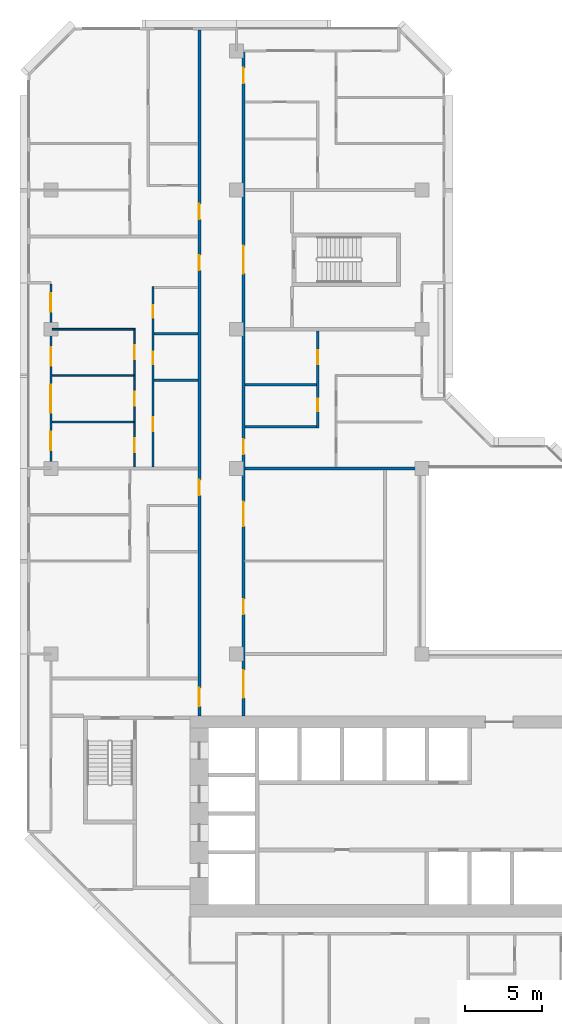
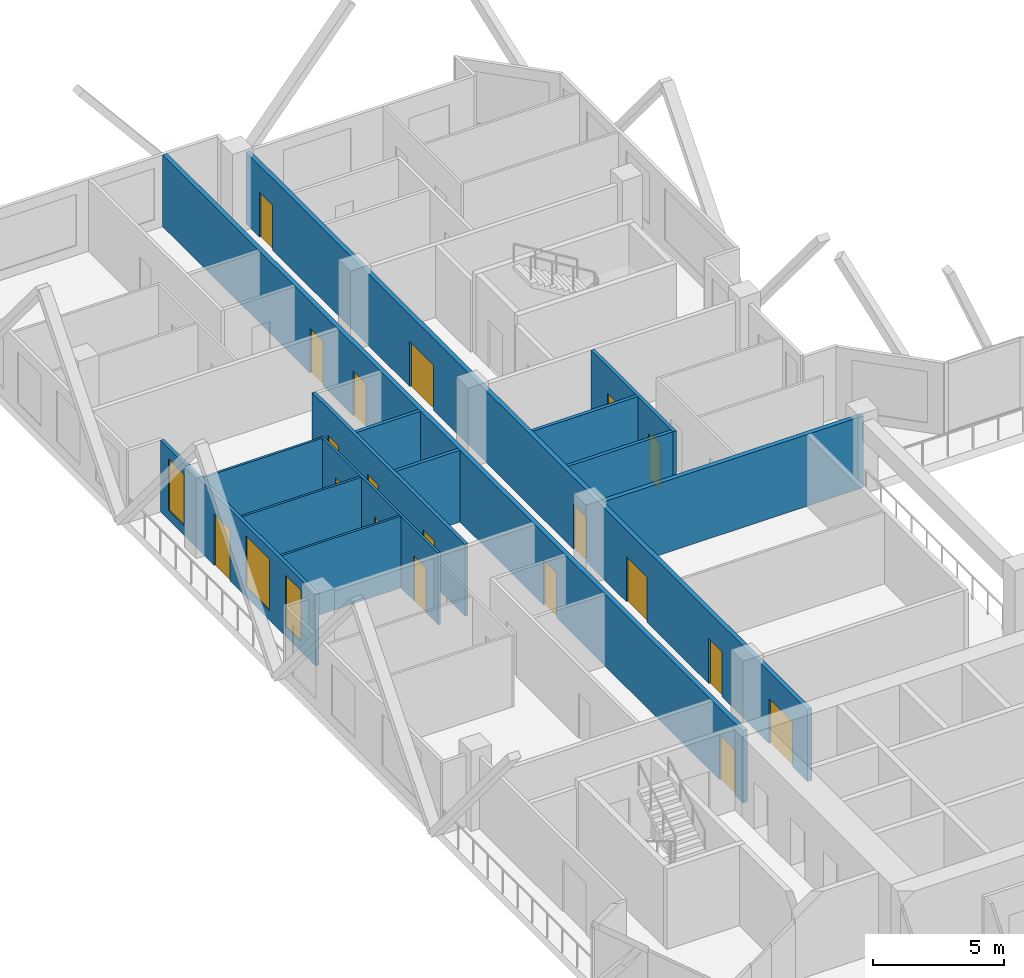
# One storey, part 9 of 14: 19 doors, 14 walls, 3 windows, 22 openings.
"""IFC4 building model written with IfcOpenShell, lengths in metres."""

from ifc_helpers import new_model, si_unit, direction, frame, frame_2d, origin, place, context, subcontext, project, spatial, rectangle, extrude, material, layer, layer_set, type_object, element, fill, save


model = new_model("IFC4")

# Units and contexts
model_context = context("Model", 3, precision=1e-05, world=origin(), true_north=direction((0.0, 1.0)))
body_context = subcontext(model_context, "Body", "Model", "MODEL_VIEW")
ifc_project = project(units=[si_unit("LENGTHUNIT", "METRE"), si_unit("AREAUNIT", "SQUARE_METRE"), si_unit("VOLUMEUNIT", "CUBIC_METRE"), si_unit("PLANEANGLEUNIT", "RADIAN"), si_unit("MASSUNIT", "GRAM", prefix="KILO")], contexts=[model_context])

# Site, building, storey
site_placement = place(None, origin())
site = spatial("IfcSite", under=ifc_project, at=site_placement, CompositionType="ELEMENT")
building_placement = place(site_placement, origin())
building = spatial("IfcBuilding", under=site, at=building_placement, Name="Chenar Terraces", CompositionType="ELEMENT")
storey_placement = place(building_placement, frame((0.0, 0.0, 164.89990234375)))
storey = spatial("IfcBuildingStorey", under=building, at=storey_placement, Name="L37", CompositionType="ELEMENT", Elevation=164.89990234375)

# Wall, openings, doors
ifc_material_1 = material(Name="Gypsum board on steel studs with fire boards", Category="steel")
ifc_layer_1 = layer(ifc_material_1, 0.199951171875)
ifc_layer_set_1 = layer_set([ifc_layer_1], Name="Gypsum board on steel studs with fire boards")
wall_type_1 = type_object("IfcWallType", Name="Corridor wall 200", PredefinedType="PARTITIONING", material=ifc_layer_set_1)
wall_1_placement = place(storey_placement, frame((9.60009765625, 20.0, 0.0), z_axis=(0.0, 0.0, 1.0), x_axis=(0.0, 1.0, 0.0)))
wall_1 = element("IfcWall", 1, at=wall_1_placement, inside=storey, type_object=wall_type_1, Name="Partition L37-028", PredefinedType="PARTITIONING", context=body_context, shape_type="SweptSolid", body=[
    extrude(rectangle(XDim=44.35009765625, YDim=0.199951171875, at=frame_2d((22.175048828125, 0.0))), origin(), (0.0, 0.0, 1.0), 3.35009765625),
])
opening_1_placement = place(wall_1_placement, frame((28.800048828125, 0.0, 0.0)))
opening_1 = element("IfcOpeningElement", 2, at=opening_1_placement, cuts=wall_1, Name="Opening DL37-32", PredefinedType="OPENING", context=body_context, shape_type="SweptSolid", body=[
    extrude(rectangle(XDim=1.0, YDim=2.10009765625, at=frame_2d((0.5, 1.050048828125))), frame((0.0, 0.10986328125, 0.0), z_axis=(0.0, -1.0, 0.0), x_axis=(1.0, 0.0, 0.0)), (0.0, 0.0, 1.0), 0.219970703125),
])
opening_2_placement = place(wall_1_placement, frame((32.10009765625, 0.0, 0.0)))
opening_2 = element("IfcOpeningElement", 3, at=opening_2_placement, cuts=wall_1, Name="Opening DL37-38", PredefinedType="OPENING", context=body_context, shape_type="SweptSolid", body=[
    extrude(rectangle(XDim=1.0, YDim=2.10009765625, at=frame_2d((0.5, 1.050048828125))), frame((0.0, 0.10986328125, 0.0), z_axis=(0.0, -1.0, 0.0), x_axis=(1.0, 0.0, 0.0)), (0.0, 0.0, 1.0), 0.219970703125),
])
opening_3_placement = place(wall_1_placement, frame((0.60009765625, 0.0, 0.0)))
opening_3 = element("IfcOpeningElement", 4, at=opening_3_placement, cuts=wall_1, Name="Opening DL37-41", PredefinedType="OPENING", context=body_context, shape_type="SweptSolid", body=[
    extrude(rectangle(XDim=1.199951171875, YDim=2.10009765625, at=frame_2d((0.60009765625, 1.050048828125))), frame((0.0, 0.10986328125, 0.0), z_axis=(0.0, -1.0, 0.0), x_axis=(1.0, 0.0, 0.0)), (0.0, 0.0, 1.0), 0.219970703125),
])
opening_4_placement = place(wall_1_placement, frame((14.25, 0.0, 0.0)))
opening_4 = element("IfcOpeningElement", 5, at=opening_4_placement, cuts=wall_1, Name="Opening DL37-62", PredefinedType="OPENING", context=body_context, shape_type="SweptSolid", body=[
    extrude(rectangle(XDim=1.0, YDim=2.10009765625, at=frame_2d((0.5, 1.050048828125))), frame((0.0, 0.10986328125, 0.0), z_axis=(0.0, -1.0, 0.0), x_axis=(1.0, 0.0, 0.0)), (0.0, 0.0, 1.0), 0.219970703125),
])
ifc_material_2 = material(Name="Steel-framed fire-resisting door leaf", Category="steel")
door_type_1 = type_object("IfcDoorType", Name="Fire door FD30S 1000 x 2100", OperationType="SINGLE_SWING_LEFT", PredefinedType="DOOR", material=ifc_material_2)
door_1_placement = place(opening_1_placement, origin())
door_1 = element("IfcDoor", 6, at=door_1_placement, inside=storey, type_object=door_type_1, Name="Door DL37-32", OperationType="SINGLE_SWING_LEFT", OverallHeight=2.10009765625, OverallWidth=1.0, PredefinedType="DOOR", context=body_context, shape_type="SweptSolid", body=[
    extrude(rectangle(XDim=1.0, YDim=2.10009765625, at=frame_2d((0.5, 1.050048828125))), frame((0.0, 0.02490234375, 0.0), z_axis=(0.0, -1.0, 0.0), x_axis=(1.0, 0.0, 0.0)), (0.0, 0.0, 1.0), 0.050048828125),
])
fill(opening_1, door_1)
door_2_placement = place(opening_2_placement, origin())
door_2 = element("IfcDoor", 7, at=door_2_placement, inside=storey, type_object=door_type_1, Name="Door DL37-38", OperationType="SINGLE_SWING_LEFT", OverallHeight=2.10009765625, OverallWidth=1.0, PredefinedType="DOOR", context=body_context, shape_type="SweptSolid", body=[
    extrude(rectangle(XDim=1.0, YDim=2.10009765625, at=frame_2d((0.5, 1.050048828125))), frame((0.0, 0.02490234375, 0.0), z_axis=(0.0, -1.0, 0.0), x_axis=(1.0, 0.0, 0.0)), (0.0, 0.0, 1.0), 0.050048828125),
])
fill(opening_2, door_2)
door_3_placement = place(opening_4_placement, origin())
door_3 = element("IfcDoor", 8, at=door_3_placement, inside=storey, type_object=door_type_1, Name="Door DL37-62", OperationType="SINGLE_SWING_LEFT", OverallHeight=2.10009765625, OverallWidth=1.0, PredefinedType="DOOR", context=body_context, shape_type="SweptSolid", body=[
    extrude(rectangle(XDim=1.0, YDim=2.10009765625, at=frame_2d((0.5, 1.050048828125))), frame((0.0, 0.02490234375, 0.0), z_axis=(0.0, -1.0, 0.0), x_axis=(1.0, 0.0, 0.0)), (0.0, 0.0, 1.0), 0.050048828125),
])
fill(opening_4, door_3)
ifc_material_3 = material(Name="Steel-framed fire-resisting door leaf", Category="steel")
door_type_2 = type_object("IfcDoorType", Name="Fire door FD30S 1200 x 2100", OperationType="SINGLE_SWING_LEFT", PredefinedType="DOOR", material=ifc_material_3)
door_4_placement = place(opening_3_placement, origin())
door_4 = element("IfcDoor", 9, at=door_4_placement, inside=storey, type_object=door_type_2, Name="Door DL37-41", OperationType="SINGLE_SWING_RIGHT", OverallHeight=2.10009765625, OverallWidth=1.199951171875, PredefinedType="DOOR", context=body_context, shape_type="SweptSolid", body=[
    extrude(rectangle(XDim=1.199951171875, YDim=2.10009765625, at=frame_2d((0.60009765625, 1.050048828125))), frame((0.0, 0.02490234375, 0.0), z_axis=(0.0, -1.0, 0.0), x_axis=(1.0, 0.0, 0.0)), (0.0, 0.0, 1.0), 0.050048828125),
])
fill(opening_3, door_4)

wall_2_placement = place(storey_placement, frame((12.449951171875, 20.0, 0.0), z_axis=(0.0, 0.0, 1.0), x_axis=(0.0, 1.0, 0.0)))
wall_2 = element("IfcWall", 10, at=wall_2_placement, inside=storey, type_object=wall_type_1, Name="Partition L37-031", PredefinedType="PARTITIONING", context=body_context, shape_type="SweptSolid", body=[
    extrude(rectangle(XDim=42.926025390625, YDim=0.199951171875, at=frame_2d((21.462890625, 0.0))), origin(), (0.0, 0.0, 1.0), 3.35009765625),
])
opening_5_placement = place(wall_2_placement, frame((6.550048828125, 0.0, 0.0)))
opening_5 = element("IfcOpeningElement", 11, at=opening_5_placement, cuts=wall_2, Name="Opening DL37-1", PredefinedType="OPENING", context=body_context, shape_type="SweptSolid", body=[
    extrude(rectangle(XDim=1.0, YDim=2.10009765625, at=frame_2d((0.5, 1.050048828125))), frame((0.0, 0.10986328125, 0.0), z_axis=(0.0, -1.0, 0.0), x_axis=(1.0, 0.0, 0.0)), (0.0, 0.0, 1.0), 0.219970703125),
])
opening_6_placement = place(wall_2_placement, frame((12.25, 0.0, 0.0)))
opening_6 = element("IfcOpeningElement", 12, at=opening_6_placement, cuts=wall_2, Name="Opening DL37-2", PredefinedType="OPENING", context=body_context, shape_type="SweptSolid", body=[
    extrude(rectangle(XDim=1.60009765625, YDim=2.10009765625, at=frame_2d((0.800048828125, 1.050048828125))), frame((0.0, 0.10986328125, 0.0), z_axis=(0.0, -1.0, 0.0), x_axis=(1.0, 0.0, 0.0)), (0.0, 0.0, 1.0), 0.219970703125),
])
opening_7_placement = place(wall_2_placement, frame((16.89990234375, 0.0, 0.0)))
opening_7 = element("IfcOpeningElement", 13, at=opening_7_placement, cuts=wall_2, Name="Opening DL37-21", PredefinedType="OPENING", context=body_context, shape_type="SweptSolid", body=[
    extrude(rectangle(XDim=1.0, YDim=2.10009765625, at=frame_2d((0.5, 1.050048828125))), frame((0.0, 0.10986328125, 0.0), z_axis=(0.0, -1.0, 0.0), x_axis=(1.0, 0.0, 0.0)), (0.0, 0.0, 1.0), 0.219970703125),
])
opening_8_placement = place(wall_2_placement, frame((40.89990234375, 0.0, 0.0)))
opening_8 = element("IfcOpeningElement", 14, at=opening_8_placement, cuts=wall_2, Name="Opening DL37-26", PredefinedType="OPENING", context=body_context, shape_type="SweptSolid", body=[
    extrude(rectangle(XDim=1.0, YDim=2.10009765625, at=frame_2d((0.5, 1.050048828125))), frame((0.0, 0.10986328125, 0.0), z_axis=(0.0, -1.0, 0.0), x_axis=(1.0, 0.0, 0.0)), (0.0, 0.0, 1.0), 0.219970703125),
])
opening_9_placement = place(wall_2_placement, frame((1.14990234375, 0.0, 0.0)))
opening_9 = element("IfcOpeningElement", 15, at=opening_9_placement, cuts=wall_2, Name="Opening DL37-40", PredefinedType="OPENING", context=body_context, shape_type="SweptSolid", body=[
    extrude(rectangle(XDim=1.800048828125, YDim=2.10009765625, at=frame_2d((0.89990234375, 1.050048828125))), frame((0.0, 0.10986328125, 0.0), z_axis=(0.0, -1.0, 0.0), x_axis=(1.0, 0.0, 0.0)), (0.0, 0.0, 1.0), 0.219970703125),
])
opening_10_placement = place(wall_2_placement, frame((28.60009765625, 0.0, 0.0)))
opening_10 = element("IfcOpeningElement", 16, at=opening_10_placement, cuts=wall_2, Name="Opening DL37-42", PredefinedType="OPENING", context=body_context, shape_type="SweptSolid", body=[
    extrude(rectangle(XDim=1.800048828125, YDim=2.10009765625, at=frame_2d((0.89990234375, 1.050048828125))), frame((0.0, 0.10986328125, 0.0), z_axis=(0.0, -1.0, 0.0), x_axis=(1.0, 0.0, 0.0)), (0.0, 0.0, 1.0), 0.219970703125),
])
ifc_material_4 = material(Name="Steel-framed fire-resisting door leaf", Category="steel")
door_type_3 = type_object("IfcDoorType", Name="Fire door FD60 1000 x 2100", OperationType="SINGLE_SWING_LEFT", PredefinedType="DOOR", material=ifc_material_4)
door_5_placement = place(opening_5_placement, frame((1.0, 0.0, 0.0), z_axis=(0.0, 0.0, 1.0), x_axis=(-1.0, 0.0, 0.0)))
door_5 = element("IfcDoor", 17, at=door_5_placement, inside=storey, type_object=door_type_3, Name="Door DL37-1", OperationType="SINGLE_SWING_LEFT", OverallHeight=2.10009765625, OverallWidth=1.0, PredefinedType="DOOR", context=body_context, shape_type="SweptSolid", body=[
    extrude(rectangle(XDim=1.0, YDim=2.10009765625, at=frame_2d((0.5, 1.050048828125))), frame((0.0, 0.02490234375, 0.0), z_axis=(0.0, -1.0, 0.0), x_axis=(1.0, 0.0, 0.0)), (0.0, 0.0, 1.0), 0.050048828125),
])
fill(opening_5, door_5)
door_6_placement = place(opening_7_placement, frame((1.0, 0.0, 0.0), z_axis=(0.0, 0.0, 1.0), x_axis=(-1.0, 0.0, 0.0)))
door_6 = element("IfcDoor", 18, at=door_6_placement, inside=storey, type_object=door_type_3, Name="Door DL37-21", OperationType="SINGLE_SWING_LEFT", OverallHeight=2.10009765625, OverallWidth=1.0, PredefinedType="DOOR", context=body_context, shape_type="SweptSolid", body=[
    extrude(rectangle(XDim=1.0, YDim=2.10009765625, at=frame_2d((0.5, 1.050048828125))), frame((0.0, 0.02490234375, 0.0), z_axis=(0.0, -1.0, 0.0), x_axis=(1.0, 0.0, 0.0)), (0.0, 0.0, 1.0), 0.050048828125),
])
fill(opening_7, door_6)
door_7_placement = place(opening_8_placement, frame((1.0, 0.0, 0.0), z_axis=(0.0, 0.0, 1.0), x_axis=(-1.0, 0.0, 0.0)))
door_7 = element("IfcDoor", 19, at=door_7_placement, inside=storey, type_object=door_type_3, Name="Door DL37-26", OperationType="SINGLE_SWING_LEFT", OverallHeight=2.10009765625, OverallWidth=1.0, PredefinedType="DOOR", context=body_context, shape_type="SweptSolid", body=[
    extrude(rectangle(XDim=1.0, YDim=2.10009765625, at=frame_2d((0.5, 1.050048828125))), frame((0.0, 0.02490234375, 0.0), z_axis=(0.0, -1.0, 0.0), x_axis=(1.0, 0.0, 0.0)), (0.0, 0.0, 1.0), 0.050048828125),
])
fill(opening_8, door_7)
ifc_material_5 = material(Name="Steel-framed fire-resisting door leaf", Category="steel")
door_type_4 = type_object("IfcDoorType", Name="Fire double door FD60 1600 x 2100", OperationType="DOUBLE_DOOR_SINGLE_SWING", PredefinedType="DOOR", material=ifc_material_5)
door_8_placement = place(opening_6_placement, frame((1.60009765625, 0.0, 0.0), z_axis=(0.0, 0.0, 1.0), x_axis=(-1.0, 0.0, 0.0)))
door_8 = element("IfcDoor", 20, at=door_8_placement, inside=storey, type_object=door_type_4, Name="Door DL37-2", OperationType="DOUBLE_DOOR_SINGLE_SWING", OverallHeight=2.10009765625, OverallWidth=1.60009765625, PredefinedType="DOOR", context=body_context, shape_type="SweptSolid", body=[
    extrude(rectangle(XDim=1.60009765625, YDim=2.10009765625, at=frame_2d((0.800048828125, 1.050048828125))), frame((0.0, 0.02490234375, 0.0), z_axis=(0.0, -1.0, 0.0), x_axis=(1.0, 0.0, 0.0)), (0.0, 0.0, 1.0), 0.050048828125),
])
fill(opening_6, door_8)
ifc_material_6 = material(Name="Steel-framed fire-resisting door leaf", Category="steel")
door_type_5 = type_object("IfcDoorType", Name="Fire double door FD60 1800 x 2100", OperationType="DOUBLE_DOOR_SINGLE_SWING", PredefinedType="DOOR", material=ifc_material_6)
door_9_placement = place(opening_9_placement, frame((1.800048828125, 0.0, 0.0), z_axis=(0.0, 0.0, 1.0), x_axis=(-1.0, 0.0, 0.0)))
door_9 = element("IfcDoor", 21, at=door_9_placement, inside=storey, type_object=door_type_5, Name="Door DL37-40", OperationType="DOUBLE_DOOR_SINGLE_SWING", OverallHeight=2.10009765625, OverallWidth=1.800048828125, PredefinedType="DOOR", context=body_context, shape_type="SweptSolid", body=[
    extrude(rectangle(XDim=1.800048828125, YDim=2.10009765625, at=frame_2d((0.89990234375, 1.050048828125))), frame((0.0, 0.02490234375, 0.0), z_axis=(0.0, -1.0, 0.0), x_axis=(1.0, 0.0, 0.0)), (0.0, 0.0, 1.0), 0.050048828125),
])
fill(opening_9, door_9)
door_10_placement = place(opening_10_placement, frame((1.800048828125, 0.0, 0.0), z_axis=(0.0, 0.0, 1.0), x_axis=(-1.0, 0.0, 0.0)))
door_10 = element("IfcDoor", 22, at=door_10_placement, inside=storey, type_object=door_type_5, Name="Door DL37-42", OperationType="DOUBLE_DOOR_SINGLE_SWING", OverallHeight=2.10009765625, OverallWidth=1.800048828125, PredefinedType="DOOR", context=body_context, shape_type="SweptSolid", body=[
    extrude(rectangle(XDim=1.800048828125, YDim=2.10009765625, at=frame_2d((0.89990234375, 1.050048828125))), frame((0.0, 0.02490234375, 0.0), z_axis=(0.0, -1.0, 0.0), x_axis=(1.0, 0.0, 0.0)), (0.0, 0.0, 1.0), 0.050048828125),
])
fill(opening_10, door_10)

# Wall, openings, windows, door
ifc_material_7 = material(Name="Aluminium framed glazing", Category="aluminium")
ifc_layer_2 = layer(ifc_material_7, 0.14990234375)
ifc_layer_set_2 = layer_set([ifc_layer_2], Name="Aluminium framed glazing")
wall_type_2 = type_object("IfcWallType", Name="Glazed loggia back wall 150", PredefinedType="SOLIDWALL", material=ifc_layer_set_2)
wall_3_placement = place(storey_placement, frame((0.0, 47.925048828125, 0.0), z_axis=(0.0, 0.0, 1.0), x_axis=(0.0, -1.0, 0.0)))
wall_3 = element("IfcWall", 23, at=wall_3_placement, inside=storey, type_object=wall_type_2, Name="Glazed loggia back wall", PredefinedType="SOLIDWALL", context=body_context, shape_type="SweptSolid", body=[
    extrude(rectangle(XDim=11.85009765625, YDim=0.14990234375, at=frame_2d((5.925048828125, 0.0))), origin(), (0.0, 0.0, 1.0), 3.35009765625),
])
opening_11_placement = place(wall_3_placement, frame((0.58740234375, 0.0, 0.449951171875)))
opening_11 = element("IfcOpeningElement", 24, at=opening_11_placement, cuts=wall_3, Name="Opening W120x240", PredefinedType="OPENING", context=body_context, shape_type="SweptSolid", body=[
    extrude(rectangle(XDim=1.199951171875, YDim=2.39990234375, at=frame_2d((0.60009765625, 1.199951171875))), frame((0.0, 0.0849609375, 0.0), z_axis=(0.0, -1.0, 0.0), x_axis=(1.0, 0.0, 0.0)), (0.0, 0.0, 1.0), 0.169921875),
])
opening_12_placement = place(wall_3_placement, frame((4.10009765625, 0.0, 0.0)))
opening_12 = element("IfcOpeningElement", 25, at=opening_12_placement, cuts=wall_3, Name="Opening DL37-G3", PredefinedType="OPENING", context=body_context, shape_type="SweptSolid", body=[
    extrude(rectangle(XDim=1.199951171875, YDim=2.39990234375, at=frame_2d((0.60009765625, 1.199951171875))), frame((0.0, 0.0849609375, 0.0), z_axis=(0.0, -1.0, 0.0), x_axis=(1.0, 0.0, 0.0)), (0.0, 0.0, 1.0), 0.169921875),
])
opening_13_placement = place(wall_3_placement, frame((6.52490234375, 0.0, 0.449951171875)))
opening_13 = element("IfcOpeningElement", 26, at=opening_13_placement, cuts=wall_3, Name="Opening W180x240", PredefinedType="OPENING", context=body_context, shape_type="SweptSolid", body=[
    extrude(rectangle(XDim=1.800048828125, YDim=2.39990234375, at=frame_2d((0.89990234375, 1.199951171875))), frame((0.0, 0.0849609375, 0.0), z_axis=(0.0, -1.0, 0.0), x_axis=(1.0, 0.0, 0.0)), (0.0, 0.0, 1.0), 0.169921875),
])
opening_14_placement = place(wall_3_placement, frame((9.550048828125, 0.0, 0.449951171875)))
opening_14 = element("IfcOpeningElement", 27, at=opening_14_placement, cuts=wall_3, Name="Opening W120x240", PredefinedType="OPENING", context=body_context, shape_type="SweptSolid", body=[
    extrude(rectangle(XDim=1.199951171875, YDim=2.39990234375, at=frame_2d((0.60009765625, 1.199951171875))), frame((0.0, 0.0849609375, 0.0), z_axis=(0.0, -1.0, 0.0), x_axis=(1.0, 0.0, 0.0)), (0.0, 0.0, 1.0), 0.169921875),
])
ifc_material_8 = material(Name="Low emissivity double glazing, aluminium frame", Category="aluminium")
window_type_1 = type_object("IfcWindowType", Name="Fixed light 1200 x 2400", PartitioningType="SINGLE_PANEL", PredefinedType="WINDOW", material=ifc_material_8)
window_1_placement = place(opening_11_placement, origin())
window_1 = element("IfcWindow", 28, at=window_1_placement, inside=storey, type_object=window_type_1, Name="Window", OverallHeight=2.39990234375, OverallWidth=1.199951171875, PartitioningType="SINGLE_PANEL", PredefinedType="WINDOW", context=body_context, shape_type="SweptSolid", body=[
    extrude(rectangle(XDim=1.199951171875, YDim=2.39990234375, at=frame_2d((0.60009765625, 1.199951171875))), frame((0.0, 0.030029296875, 0.0), z_axis=(0.0, -1.0, 0.0), x_axis=(1.0, 0.0, 0.0)), (0.0, 0.0, 1.0), 0.06005859375),
])
fill(opening_11, window_1)
window_2_placement = place(opening_14_placement, origin())
window_2 = element("IfcWindow", 29, at=window_2_placement, inside=storey, type_object=window_type_1, Name="Window", OverallHeight=2.39990234375, OverallWidth=1.199951171875, PartitioningType="SINGLE_PANEL", PredefinedType="WINDOW", context=body_context, shape_type="SweptSolid", body=[
    extrude(rectangle(XDim=1.199951171875, YDim=2.39990234375, at=frame_2d((0.60009765625, 1.199951171875))), frame((0.0, 0.030029296875, 0.0), z_axis=(0.0, -1.0, 0.0), x_axis=(1.0, 0.0, 0.0)), (0.0, 0.0, 1.0), 0.06005859375),
])
fill(opening_14, window_2)
ifc_material_9 = material(Name="Low emissivity double glazing, aluminium frame", Category="aluminium")
window_type_2 = type_object("IfcWindowType", Name="Fixed light 1800 x 2400", PartitioningType="SINGLE_PANEL", PredefinedType="WINDOW", material=ifc_material_9)
window_3_placement = place(opening_13_placement, origin())
window_3 = element("IfcWindow", 30, at=window_3_placement, inside=storey, type_object=window_type_2, Name="Window", OverallHeight=2.39990234375, OverallWidth=1.800048828125, PartitioningType="SINGLE_PANEL", PredefinedType="WINDOW", context=body_context, shape_type="SweptSolid", body=[
    extrude(rectangle(XDim=1.800048828125, YDim=2.39990234375, at=frame_2d((0.89990234375, 1.199951171875))), frame((0.0, 0.030029296875, 0.0), z_axis=(0.0, -1.0, 0.0), x_axis=(1.0, 0.0, 0.0)), (0.0, 0.0, 1.0), 0.06005859375),
])
fill(opening_13, window_3)
ifc_material_10 = material(Name="Low emissivity double glazing, aluminium frame", Category="aluminium")
door_type_6 = type_object("IfcDoorType", Name="Loggia glazed double door 1200 x 2400", OperationType="DOUBLE_DOOR_SINGLE_SWING", PredefinedType="DOOR", material=ifc_material_10)
door_11_placement = place(opening_12_placement, frame((1.199951171875, 0.0, 0.0), z_axis=(0.0, 0.0, 1.0), x_axis=(-1.0, 0.0, 0.0)))
door_11 = element("IfcDoor", 31, at=door_11_placement, inside=storey, type_object=door_type_6, Name="Loggia glazed door", OperationType="DOUBLE_DOOR_SINGLE_SWING", OverallHeight=2.39990234375, OverallWidth=1.199951171875, PredefinedType="DOOR", context=body_context, shape_type="SweptSolid", body=[
    extrude(rectangle(XDim=1.199951171875, YDim=2.39990234375, at=frame_2d((0.60009765625, 1.199951171875))), frame((0.0, 0.02490234375, 0.0), z_axis=(0.0, -1.0, 0.0), x_axis=(1.0, 0.0, 0.0)), (0.0, 0.0, 1.0), 0.050048828125),
])
fill(opening_12, door_11)

# Walls
ifc_material_11 = material(Name="Gypsum board on steel studs", Category="steel")
ifc_layer_3 = layer(ifc_material_11, 0.10009765625)
ifc_layer_set_3 = layer_set([ifc_layer_3], Name="Gypsum board on steel studs")
wall_type_3 = type_object("IfcWallType", Name="Gypsum partition 100", PredefinedType="PARTITIONING", material=ifc_layer_set_3)
for number, where, z_axis, x_axis, name in (
    (32, (0.073974609375, 39.0, 0.0), (0.0, 0.0, 1.0), (1.0, 0.0, 0.0), "Partition L37-009"),
    (33, (0.073974609375, 42.0, 0.0), (0.0, 0.0, 1.0), (1.0, 0.0, 0.0), "Partition L37-010"),
    (34, (0.073974609375, 45.0, 0.0), (0.0, 0.0, 1.0), (1.0, 0.0, 0.0), "Partition L37-011"),
):
    element("IfcWall", number, at=place(storey_placement, frame(where, z_axis=z_axis, x_axis=x_axis)), inside=storey, type_object=wall_type_3, Name=name, PredefinedType="PARTITIONING", context=body_context, shape_type="SweptSolid", body=[
        extrude(rectangle(XDim=5.276123046875, YDim=0.10009765625, at=frame_2d((2.63818359375, 0.0))), origin(), (0.0, 0.0, 1.0), 3.35009765625),
    ])

# Wall, openings, doors
wall_4_placement = place(storey_placement, frame((5.39990234375, 36.10009765625, 0.0), z_axis=(0.0, 0.0, 1.0), x_axis=(0.0, 1.0, 0.0)))
wall_4 = element("IfcWall", 35, at=wall_4_placement, inside=storey, type_object=wall_type_3, Name="Partition L37-015", PredefinedType="PARTITIONING", context=body_context, shape_type="SweptSolid", body=[
    extrude(rectangle(XDim=8.949951171875, YDim=0.10009765625, at=frame_2d((4.47509765625, 0.0))), origin(), (0.0, 0.0, 1.0), 3.35009765625),
])
opening_15_placement = place(wall_4_placement, frame((3.949951171875, 0.0, 0.0)))
opening_15 = element("IfcOpeningElement", 36, at=opening_15_placement, cuts=wall_4, Name="Opening DL37-28", PredefinedType="OPENING", context=body_context, shape_type="SweptSolid", body=[
    extrude(rectangle(XDim=0.89990234375, YDim=2.10009765625, at=frame_2d((0.449951171875, 1.050048828125))), frame((0.0, 0.06005859375, 0.0), z_axis=(0.0, -1.0, 0.0), x_axis=(1.0, 0.0, 0.0)), (0.0, 0.0, 1.0), 0.1201171875),
])
opening_16_placement = place(wall_4_placement, frame((6.949951171875, 0.0, 0.0)))
opening_16 = element("IfcOpeningElement", 37, at=opening_16_placement, cuts=wall_4, Name="Opening DL37-29", PredefinedType="OPENING", context=body_context, shape_type="SweptSolid", body=[
    extrude(rectangle(XDim=0.89990234375, YDim=2.10009765625, at=frame_2d((0.449951171875, 1.050048828125))), frame((0.0, 0.06005859375, 0.0), z_axis=(0.0, -1.0, 0.0), x_axis=(1.0, 0.0, 0.0)), (0.0, 0.0, 1.0), 0.1201171875),
])
opening_17_placement = place(wall_4_placement, frame((0.949951171875, 0.0, 0.0)))
opening_17 = element("IfcOpeningElement", 38, at=opening_17_placement, cuts=wall_4, Name="Opening DL37-33", PredefinedType="OPENING", context=body_context, shape_type="SweptSolid", body=[
    extrude(rectangle(XDim=0.89990234375, YDim=2.10009765625, at=frame_2d((0.449951171875, 1.050048828125))), frame((0.0, 0.06005859375, 0.0), z_axis=(0.0, -1.0, 0.0), x_axis=(1.0, 0.0, 0.0)), (0.0, 0.0, 1.0), 0.1201171875),
])
ifc_material_12 = material(Name="Veneered timber door leaf", Category="wood")
door_type_7 = type_object("IfcDoorType", Name="Door 900 x 2100", OperationType="SINGLE_SWING_LEFT", PredefinedType="DOOR", material=ifc_material_12)
door_12_placement = place(opening_15_placement, origin())
door_12 = element("IfcDoor", 39, at=door_12_placement, inside=storey, type_object=door_type_7, Name="Door DL37-28", OperationType="SINGLE_SWING_RIGHT", OverallHeight=2.10009765625, OverallWidth=0.89990234375, PredefinedType="DOOR", context=body_context, shape_type="SweptSolid", body=[
    extrude(rectangle(XDim=0.89990234375, YDim=2.10009765625, at=frame_2d((0.449951171875, 1.050048828125))), frame((0.0, 0.02490234375, 0.0), z_axis=(0.0, -1.0, 0.0), x_axis=(1.0, 0.0, 0.0)), (0.0, 0.0, 1.0), 0.050048828125),
])
fill(opening_15, door_12)
door_13_placement = place(opening_16_placement, origin())
door_13 = element("IfcDoor", 40, at=door_13_placement, inside=storey, type_object=door_type_7, Name="Door DL37-29", OperationType="SINGLE_SWING_RIGHT", OverallHeight=2.10009765625, OverallWidth=0.89990234375, PredefinedType="DOOR", context=body_context, shape_type="SweptSolid", body=[
    extrude(rectangle(XDim=0.89990234375, YDim=2.10009765625, at=frame_2d((0.449951171875, 1.050048828125))), frame((0.0, 0.02490234375, 0.0), z_axis=(0.0, -1.0, 0.0), x_axis=(1.0, 0.0, 0.0)), (0.0, 0.0, 1.0), 0.050048828125),
])
fill(opening_16, door_13)
door_14_placement = place(opening_17_placement, origin())
door_14 = element("IfcDoor", 41, at=door_14_placement, inside=storey, type_object=door_type_7, Name="Door DL37-33", OperationType="SINGLE_SWING_RIGHT", OverallHeight=2.10009765625, OverallWidth=0.89990234375, PredefinedType="DOOR", context=body_context, shape_type="SweptSolid", body=[
    extrude(rectangle(XDim=0.89990234375, YDim=2.10009765625, at=frame_2d((0.449951171875, 1.050048828125))), frame((0.0, 0.02490234375, 0.0), z_axis=(0.0, -1.0, 0.0), x_axis=(1.0, 0.0, 0.0)), (0.0, 0.0, 1.0), 0.050048828125),
])
fill(opening_17, door_14)

# Wall
ifc_material_13 = material(Name="Twin gypsum board on steel studs with mineral wool", Category="steel")
ifc_layer_4 = layer(ifc_material_13, 0.199951171875)
ifc_layer_set_4 = layer_set([ifc_layer_4], Name="Twin gypsum board on steel studs with mineral wool")
wall_type_4 = type_object("IfcWallType", Name="Unit demising wall 200", PredefinedType="PARTITIONING", material=ifc_layer_set_4)
wall_5_placement = place(storey_placement, frame((12.550048828125, 36.0, 0.0), z_axis=(0.0, 0.0, 1.0), x_axis=(1.0, 0.0, 0.0)))
element("IfcWall", 42, at=wall_5_placement, inside=storey, type_object=wall_type_4, Name="Partition L37-034", PredefinedType="PARTITIONING", context=body_context, shape_type="SweptSolid", body=[
    extrude(rectangle(XDim=11.449951171875, YDim=0.199951171875, at=frame_2d((5.72509765625, 0.0))), origin(), (0.0, 0.0, 1.0), 3.35009765625),
])

# Wall, openings, doors
ifc_material_14 = material(Name="Moisture-resistant gypsum board on steel studs", Category="steel")
ifc_layer_5 = layer(ifc_material_14, 0.14990234375)
ifc_layer_set_5 = layer_set([ifc_layer_5], Name="Moisture-resistant gypsum board on steel studs")
wall_type_5 = type_object("IfcWallType", Name="Wet-room partition 150", PredefinedType="PARTITIONING", material=ifc_layer_set_5)
wall_6_placement = place(storey_placement, frame((6.60009765625, 36.10009765625, 0.0), z_axis=(0.0, 0.0, 1.0), x_axis=(0.0, 1.0, 0.0)))
wall_6 = element("IfcWall", 43, at=wall_6_placement, inside=storey, type_object=wall_type_5, Name="Partition L37-022", PredefinedType="PARTITIONING", context=body_context, shape_type="SweptSolid", body=[
    extrude(rectangle(XDim=11.6748046875, YDim=0.14990234375, at=frame_2d((5.83740234375, 0.0))), origin(), (0.0, 0.0, 1.0), 3.35009765625),
])
opening_18_placement = place(wall_6_placement, frame((6.64990234375, 0.0, 0.0)))
opening_18 = element("IfcOpeningElement", 44, at=opening_18_placement, cuts=wall_6, Name="Opening DL37-27", PredefinedType="OPENING", context=body_context, shape_type="SweptSolid", body=[
    extrude(rectangle(XDim=0.800048828125, YDim=2.10009765625, at=frame_2d((0.39990234375, 1.050048828125))), frame((0.0, 0.0849609375, 0.0), z_axis=(0.0, -1.0, 0.0), x_axis=(1.0, 0.0, 0.0)), (0.0, 0.0, 1.0), 0.169921875),
])
opening_19_placement = place(wall_6_placement, frame((2.300048828125, 0.0, 0.0)))
opening_19 = element("IfcOpeningElement", 45, at=opening_19_placement, cuts=wall_6, Name="Opening DL37-30", PredefinedType="OPENING", context=body_context, shape_type="SweptSolid", body=[
    extrude(rectangle(XDim=0.89990234375, YDim=2.10009765625, at=frame_2d((0.449951171875, 1.050048828125))), frame((0.0, 0.0849609375, 0.0), z_axis=(0.0, -1.0, 0.0), x_axis=(1.0, 0.0, 0.0)), (0.0, 0.0, 1.0), 0.169921875),
])
opening_20_placement = place(wall_6_placement, frame((9.64990234375, 0.0, 0.0)))
opening_20 = element("IfcOpeningElement", 46, at=opening_20_placement, cuts=wall_6, Name="Opening DL37-31", PredefinedType="OPENING", context=body_context, shape_type="SweptSolid", body=[
    extrude(rectangle(XDim=0.800048828125, YDim=2.10009765625, at=frame_2d((0.39990234375, 1.050048828125))), frame((0.0, 0.0849609375, 0.0), z_axis=(0.0, -1.0, 0.0), x_axis=(1.0, 0.0, 0.0)), (0.0, 0.0, 1.0), 0.169921875),
])
ifc_material_15 = material(Name="Veneered timber door leaf", Category="wood")
door_type_8 = type_object("IfcDoorType", Name="Door 800 x 2100", OperationType="SINGLE_SWING_LEFT", PredefinedType="DOOR", material=ifc_material_15)
door_15_placement = place(opening_18_placement, frame((0.800048828125, 0.0, 0.0), z_axis=(0.0, 0.0, 1.0), x_axis=(-1.0, 0.0, 0.0)))
door_15 = element("IfcDoor", 47, at=door_15_placement, inside=storey, type_object=door_type_8, Name="Door DL37-27", OperationType="SINGLE_SWING_RIGHT", OverallHeight=2.10009765625, OverallWidth=0.800048828125, PredefinedType="DOOR", context=body_context, shape_type="SweptSolid", body=[
    extrude(rectangle(XDim=0.800048828125, YDim=2.10009765625, at=frame_2d((0.39990234375, 1.050048828125))), frame((0.0, 0.02490234375, 0.0), z_axis=(0.0, -1.0, 0.0), x_axis=(1.0, 0.0, 0.0)), (0.0, 0.0, 1.0), 0.050048828125),
])
fill(opening_18, door_15)
door_16_placement = place(opening_20_placement, frame((0.800048828125, 0.0, 0.0), z_axis=(0.0, 0.0, 1.0), x_axis=(-1.0, 0.0, 0.0)))
door_16 = element("IfcDoor", 48, at=door_16_placement, inside=storey, type_object=door_type_8, Name="Door DL37-31", OperationType="SINGLE_SWING_RIGHT", OverallHeight=2.10009765625, OverallWidth=0.800048828125, PredefinedType="DOOR", context=body_context, shape_type="SweptSolid", body=[
    extrude(rectangle(XDim=0.800048828125, YDim=2.10009765625, at=frame_2d((0.39990234375, 1.050048828125))), frame((0.0, 0.02490234375, 0.0), z_axis=(0.0, -1.0, 0.0), x_axis=(1.0, 0.0, 0.0)), (0.0, 0.0, 1.0), 0.050048828125),
])
fill(opening_20, door_16)
door_17_placement = place(opening_19_placement, frame((0.89990234375, 0.0, 0.0), z_axis=(0.0, 0.0, 1.0), x_axis=(-1.0, 0.0, 0.0)))
door_17 = element("IfcDoor", 49, at=door_17_placement, inside=storey, type_object=door_type_7, Name="Door DL37-30", OperationType="SINGLE_SWING_RIGHT", OverallHeight=2.10009765625, OverallWidth=0.89990234375, PredefinedType="DOOR", context=body_context, shape_type="SweptSolid", body=[
    extrude(rectangle(XDim=0.89990234375, YDim=2.10009765625, at=frame_2d((0.449951171875, 1.050048828125))), frame((0.0, 0.02490234375, 0.0), z_axis=(0.0, -1.0, 0.0), x_axis=(1.0, 0.0, 0.0)), (0.0, 0.0, 1.0), 0.050048828125),
])
fill(opening_19, door_17)

# Walls
for number, where, z_axis, x_axis, name in (
    (50, (6.675048828125, 41.699951171875, 0.0), (0.0, 0.0, 1.0), (1.0, 0.0, 0.0), "Partition L37-023"),
    (51, (6.675048828125, 44.699951171875, 0.0), (0.0, 0.0, 1.0), (1.0, 0.0, 0.0), "Partition L37-024"),
):
    element("IfcWall", number, at=place(storey_placement, frame(where, z_axis=z_axis, x_axis=x_axis)), inside=storey, type_object=wall_type_5, Name=name, PredefinedType="PARTITIONING", context=body_context, shape_type="SweptSolid", body=[
        extrude(rectangle(XDim=2.824951171875, YDim=0.14990234375, at=frame_2d((1.41259765625, 0.0))), origin(), (0.0, 0.0, 1.0), 3.35009765625),
    ])
for number, where, z_axis, x_axis, name in (
    (52, (12.550048828125, 38.699951171875, 0.0), (0.0, 0.0, 1.0), (1.0, 0.0, 0.0), "Partition L37-035"),
    (53, (12.550048828125, 41.39990234375, 0.0), (0.0, 0.0, 1.0), (1.0, 0.0, 0.0), "Partition L37-036"),
):
    element("IfcWall", number, at=place(storey_placement, frame(where, z_axis=z_axis, x_axis=x_axis)), inside=storey, type_object=wall_type_5, Name=name, PredefinedType="PARTITIONING", context=body_context, shape_type="SweptSolid", body=[
        extrude(rectangle(XDim=4.625, YDim=0.14990234375, at=frame_2d((2.3125, 0.0))), origin(), (0.0, 0.0, 1.0), 3.35009765625),
    ])

# Wall, openings, doors
wall_7_placement = place(storey_placement, frame((17.25, 38.625, 0.0), z_axis=(0.0, 0.0, 1.0), x_axis=(0.0, 1.0, 0.0)))
wall_7 = element("IfcWall", 54, at=wall_7_placement, inside=storey, type_object=wall_type_5, Name="Partition L37-044", PredefinedType="PARTITIONING", context=body_context, shape_type="SweptSolid", body=[
    extrude(rectangle(XDim=6.27490234375, YDim=0.14990234375, at=frame_2d((3.137451171875, 0.0))), origin(), (0.0, 0.0, 1.0), 3.35009765625),
])
opening_21_placement = place(wall_7_placement, frame((1.074951171875, 0.0, 0.0)))
opening_21 = element("IfcOpeningElement", 55, at=opening_21_placement, cuts=wall_7, Name="Opening DL37-17", PredefinedType="OPENING", context=body_context, shape_type="SweptSolid", body=[
    extrude(rectangle(XDim=0.800048828125, YDim=2.10009765625, at=frame_2d((0.39990234375, 1.050048828125))), frame((0.0, 0.0849609375, 0.0), z_axis=(0.0, -1.0, 0.0), x_axis=(1.0, 0.0, 0.0)), (0.0, 0.0, 1.0), 0.169921875),
])
opening_22_placement = place(wall_7_placement, frame((4.125, 0.0, 0.0)))
opening_22 = element("IfcOpeningElement", 56, at=opening_22_placement, cuts=wall_7, Name="Opening DL37-20", PredefinedType="OPENING", context=body_context, shape_type="SweptSolid", body=[
    extrude(rectangle(XDim=0.89990234375, YDim=2.10009765625, at=frame_2d((0.449951171875, 1.050048828125))), frame((0.0, 0.0849609375, 0.0), z_axis=(0.0, -1.0, 0.0), x_axis=(1.0, 0.0, 0.0)), (0.0, 0.0, 1.0), 0.169921875),
])
door_18_placement = place(opening_21_placement, origin())
door_18 = element("IfcDoor", 57, at=door_18_placement, inside=storey, type_object=door_type_8, Name="Door DL37-17", OperationType="SINGLE_SWING_RIGHT", OverallHeight=2.10009765625, OverallWidth=0.800048828125, PredefinedType="DOOR", context=body_context, shape_type="SweptSolid", body=[
    extrude(rectangle(XDim=0.800048828125, YDim=2.10009765625, at=frame_2d((0.39990234375, 1.050048828125))), frame((0.0, 0.02490234375, 0.0), z_axis=(0.0, -1.0, 0.0), x_axis=(1.0, 0.0, 0.0)), (0.0, 0.0, 1.0), 0.050048828125),
])
fill(opening_21, door_18)
door_19_placement = place(opening_22_placement, origin())
door_19 = element("IfcDoor", 58, at=door_19_placement, inside=storey, type_object=door_type_7, Name="Door DL37-20", OperationType="SINGLE_SWING_LEFT", OverallHeight=2.10009765625, OverallWidth=0.89990234375, PredefinedType="DOOR", context=body_context, shape_type="SweptSolid", body=[
    extrude(rectangle(XDim=0.89990234375, YDim=2.10009765625, at=frame_2d((0.449951171875, 1.050048828125))), frame((0.0, 0.02490234375, 0.0), z_axis=(0.0, -1.0, 0.0), x_axis=(1.0, 0.0, 0.0)), (0.0, 0.0, 1.0), 0.050048828125),
])
fill(opening_22, door_19)

save(model, "model.ifc")
